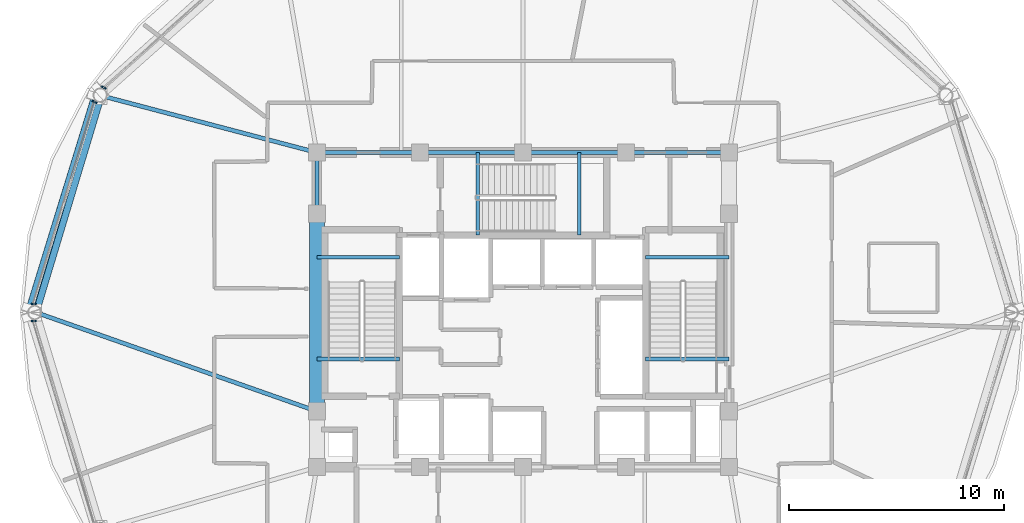
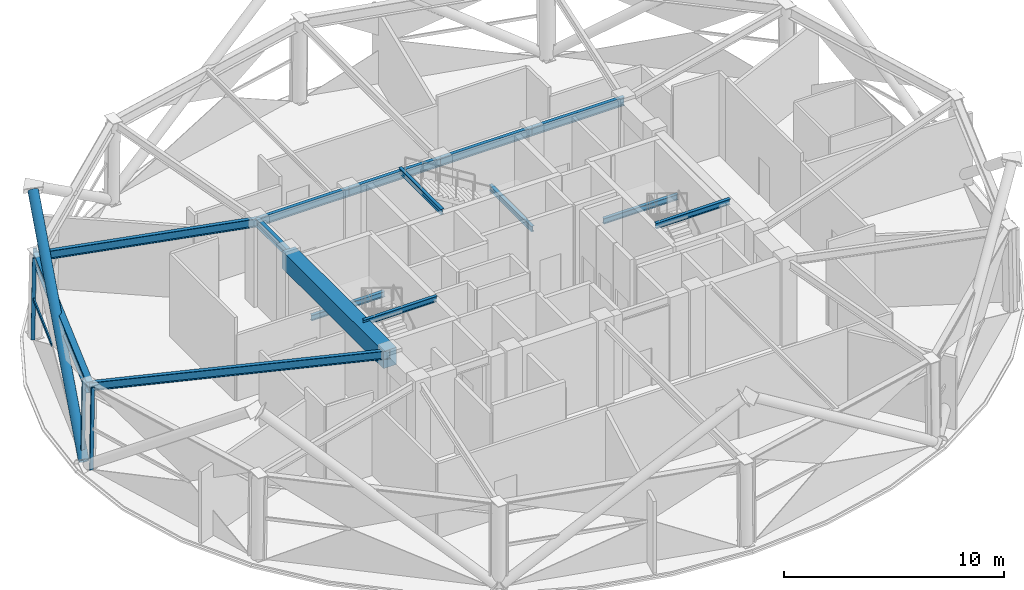
# One storey, part 4 of 16: 15 beams, 6 members, 3 elements without a shape of their own.
"""IFC4 building model written with IfcOpenShell, lengths in metres."""

from ifc_helpers import new_model, si_unit, direction, frame, origin, origin_2d, place, context, subcontext, project, spatial, rectangle, hollow_rectangle, hollow_circle, i_section, extrude, material, layer, layer_set, material_profile, profile_set, type_object, element, aggregate, save


model = new_model("IFC4")

# Units and contexts
model_context = context("Model", 3, precision=1e-05, world=origin(), true_north=direction((0.0, 1.0)))
body_context = subcontext(model_context, "Body", "Model", "MODEL_VIEW")
ifc_project = project(units=[si_unit("LENGTHUNIT", "METRE"), si_unit("AREAUNIT", "SQUARE_METRE"), si_unit("VOLUMEUNIT", "CUBIC_METRE"), si_unit("PLANEANGLEUNIT", "RADIAN"), si_unit("MASSUNIT", "GRAM", prefix="KILO")], contexts=[model_context])

# Site, building, storey
site_placement = place(None, origin())
site = spatial("IfcSite", under=ifc_project, at=site_placement, CompositionType="ELEMENT")
building_placement = place(site_placement, origin())
building = spatial("IfcBuilding", under=site, at=building_placement, Name="Vantalir Tower", CompositionType="ELEMENT")
storey_placement = place(building_placement, frame((0.0, 0.0, 181.35009765625)))
storey = spatial("IfcBuildingStorey", under=building, at=storey_placement, Name="L45", CompositionType="ELEMENT", Elevation=181.35009765625)

# Beams
ifc_material_1 = material(Name="Concrete C60/75", Category="concrete")
ifc_material_profile_1 = material_profile(ifc_material_1, rectangle(XDim=0.699951171875, YDim=0.949951171875, at=origin_2d()), Name="Concrete C60/75")
ifc_profile_set_1 = profile_set([ifc_material_profile_1], Name="Concrete C60/75")
beam_type_1 = type_object("IfcBeamType", Name="BM-CB-700x950", PredefinedType="USERDEFINED", material=ifc_profile_set_1)
beam_1_placement = place(storey_placement, frame((21.89990234375, 29.60009765625, 4.14501953125), z_axis=(0.0, -1.0, 0.0), x_axis=(1.0, 0.0, 0.0)))
element("IfcBeam", 1, at=beam_1_placement, inside=storey, type_object=beam_type_1, Name="L45 Core Coupling Girder 13", ObjectType="GIRDER", PredefinedType="USERDEFINED", context=body_context, shape_type="SweptSolid", body=[
    extrude(rectangle(XDim=0.699951171875, YDim=0.949951171875, at=origin_2d()), origin(), (0.0, 0.0, 1.0), 9.2001953125),
])
ifc_material_2 = material(Name="Steel S355", Category="steel")
ifc_material_profile_2 = material_profile(ifc_material_2, i_section(OverallWidth=0.166015625, OverallDepth=0.306884765625, WebThickness=0.006591796875, FlangeThickness=0.01171875, at=origin_2d()), Name="Steel S355")
ifc_profile_set_2 = profile_set([ifc_material_profile_2], Name="Steel S355")
beam_type_2 = type_object("IfcBeamType", Name="BM-JS-305x165", PredefinedType="JOIST", material=ifc_profile_set_2)
for number, where, z_axis, x_axis, name in (
    (2, (21.89990234375, 22.8349609375, 4.64599609375), (1.0, 0.0, 0.0), (0.0, 1.0, 0.0), "L46 Stair ST1 Well Nosing Trimmer Beam"),
    (3, (21.89990234375, 27.56494140625, 2.0458984375), (1.0, 0.0, 0.0), (0.0, 1.0, 0.0), "L45 Stair ST1 Half-Landing Support Beam"),
):
    element("IfcBeam", number, at=place(storey_placement, frame(where, z_axis=z_axis, x_axis=x_axis)), inside=storey, type_object=beam_type_2, Name=name, PredefinedType="JOIST", context=body_context, shape_type="SweptSolid", body=[
        extrude(i_section(OverallWidth=0.166015625, OverallDepth=0.306884765625, WebThickness=0.006591796875, FlangeThickness=0.01171875, at=origin_2d()), origin(), (0.0, 0.0, 1.0), 3.840087890625),
    ])
for number, where, z_axis, x_axis, name in (
    (4, (37.2099609375, 22.8349609375, 4.64599609375), (1.0, 0.0, 0.0), (0.0, 1.0, 0.0), "L46 Stair ST2 Well Nosing Trimmer Beam"),
    (5, (37.2099609375, 27.56494140625, 2.0458984375), (1.0, 0.0, 0.0), (0.0, 1.0, 0.0), "L45 Stair ST2 Half-Landing Support Beam"),
):
    element("IfcBeam", number, at=place(storey_placement, frame(where, z_axis=z_axis, x_axis=x_axis)), inside=storey, type_object=beam_type_2, Name=name, PredefinedType="JOIST", context=body_context, shape_type="SweptSolid", body=[
        extrude(i_section(OverallWidth=0.166015625, OverallDepth=0.306884765625, WebThickness=0.006591796875, FlangeThickness=0.01171875, at=origin_2d()), origin(), (0.0, 0.0, 1.0), 3.89013671875),
    ])
for number, where, z_axis, x_axis, name in (
    (6, (29.385009765625, 28.60009765625, 4.64599609375), (0.0, 1.0, 0.0), (-1.0, 0.0, 0.0), "L46 Stair ST3 Well Nosing Trimmer Beam"),
    (7, (34.114990234375, 28.60009765625, 2.0458984375), (0.0, 1.0, 0.0), (-1.0, 0.0, 0.0), "L45 Stair ST3 Half-Landing Support Beam"),
):
    element("IfcBeam", number, at=place(storey_placement, frame(where, z_axis=z_axis, x_axis=x_axis)), inside=storey, type_object=beam_type_2, Name=name, PredefinedType="JOIST", context=body_context, shape_type="SweptSolid", body=[
        extrude(i_section(OverallWidth=0.166015625, OverallDepth=0.306884765625, WebThickness=0.006591796875, FlangeThickness=0.01171875, at=origin_2d()), origin(), (0.0, 0.0, 1.0), 3.849853515625),
    ])
ifc_material_profile_3 = material_profile(ifc_material_2, i_section(OverallWidth=0.19189453125, OverallDepth=0.462890625, WebThickness=0.010498046875, FlangeThickness=0.017578125, at=origin_2d()), Name="Steel S355")
ifc_profile_set_3 = profile_set([ifc_material_profile_3], Name="Steel S355")
beam_type_3 = type_object("IfcBeamType", Name="BM-RB-457x191", PredefinedType="BEAM", material=ifc_profile_set_3)
for number, where, z_axis, x_axis, name in (
    (8, (41.10009765625, 32.449951171875, 4.387939453125), (-1.0, 0.0, 0.0), (0.0, -1.0, 0.0), "L45 Core Coupling Girder 08"),
    (9, (36.300048828125, 32.449951171875, 4.387939453125), (-1.0, 0.0, 0.0), (0.0, -1.0, 0.0), "L45 Core Coupling Girder 09"),
    (10, (31.5, 32.449951171875, 4.387939453125), (-1.0, 0.0, 0.0), (0.0, -1.0, 0.0), "L45 Core Coupling Girder 10"),
    (11, (26.699951171875, 32.449951171875, 4.387939453125), (-1.0, 0.0, 0.0), (0.0, -1.0, 0.0), "L45 Core Coupling Girder 11"),
):
    element("IfcBeam", number, at=place(storey_placement, frame(where, z_axis=z_axis, x_axis=x_axis)), inside=storey, type_object=beam_type_3, Name=name, PredefinedType="BEAM", context=body_context, shape_type="SweptSolid", body=[
        extrude(i_section(OverallWidth=0.19189453125, OverallDepth=0.462890625, WebThickness=0.010498046875, FlangeThickness=0.017578125, at=origin_2d()), origin(), (0.0, 0.0, 1.0), 4.800048828125),
    ])
beam_2_placement = place(storey_placement, frame((21.89990234375, 32.449951171875, 4.387939453125), z_axis=(0.0, -1.0, 0.0), x_axis=(1.0, 0.0, 0.0)))
element("IfcBeam", 12, at=beam_2_placement, inside=storey, type_object=beam_type_3, Name="L45 Core Coupling Girder 12", PredefinedType="BEAM", context=body_context, shape_type="SweptSolid", body=[
    extrude(i_section(OverallWidth=0.19189453125, OverallDepth=0.462890625, WebThickness=0.010498046875, FlangeThickness=0.017578125, at=origin_2d()), origin(), (0.0, 0.0, 1.0), 2.849853515625),
])
beam_3_placement = place(storey_placement, frame((11.862060546875, 35.093994140625, 4.387939453125), z_axis=(0.967015102182, -0.254719045522, 0.0), x_axis=(0.254719045522, 0.967015102182, 0.0)))
element("IfcBeam", 13, at=beam_3_placement, inside=storey, type_object=beam_type_3, Name="L45 Radial Floor Beam 06", PredefinedType="BEAM", context=body_context, shape_type="SweptSolid", body=[
    extrude(i_section(OverallWidth=0.19189453125, OverallDepth=0.462890625, WebThickness=0.010498046875, FlangeThickness=0.017578125, at=origin_2d()), origin(), (0.0, 0.0, 1.0), 10.380126953125),
])
beam_4_placement = place(storey_placement, frame((8.823974609375, 25.0, 4.387939453125), z_axis=(0.943328014031, -0.331861805492, 0.0), x_axis=(0.331861805492, 0.943328014031, 0.0)))
element("IfcBeam", 14, at=beam_4_placement, inside=storey, type_object=beam_type_3, Name="L45 Radial Floor Beam 07", PredefinedType="BEAM", context=body_context, shape_type="SweptSolid", body=[
    extrude(i_section(OverallWidth=0.19189453125, OverallDepth=0.462890625, WebThickness=0.010498046875, FlangeThickness=0.017578125, at=origin_2d()), origin(), (0.0, 0.0, 1.0), 13.861572265625),
])
ifc_material_3 = material(Name="Steel S460", Category="steel")
ifc_material_profile_4 = material_profile(ifc_material_3, i_section(OverallWidth=0.306884765625, OverallDepth=0.6201171875, WebThickness=0.01416015625, FlangeThickness=0.023681640625, at=origin_2d()), Name="Steel S460")
ifc_profile_set_4 = profile_set([ifc_material_profile_4], Name="Steel S460")
beam_type_4 = type_object("IfcBeamType", Name="BM-RG-610x305", PredefinedType="USERDEFINED", material=ifc_profile_set_4)
beam_5_placement = place(storey_placement, frame((11.862060546875, 35.093994140625, 4.309814453125), z_axis=(-0.288208317462, -0.957567734286, 0.0), x_axis=(0.957567734286, -0.288208317462, 0.0)))
element("IfcBeam", 15, at=beam_5_placement, inside=storey, type_object=beam_type_4, Name="L45 Circumferential Ring Girder 06", ObjectType="GIRDER", PredefinedType="USERDEFINED", context=body_context, shape_type="SweptSolid", body=[
    extrude(i_section(OverallWidth=0.306884765625, OverallDepth=0.6201171875, WebThickness=0.01416015625, FlangeThickness=0.023681640625, at=origin_2d()), origin(), (0.0, 0.0, 1.0), 10.541259765625),
])

# Curtain wall, member
ifc_material_4 = material(Name="Champagne-silver PVDF aluminium and double-silver Low-E glass", Category="aluminium")
ifc_layer = layer(ifc_material_4, 0.22998046875)
ifc_layer_set = layer_set([ifc_layer], Name="Champagne-silver PVDF aluminium and double-silver Low-E glass")
curtain_wall_type = type_object("IfcCurtainWallType", Name="CW-SKYLOBBY", PredefinedType="USERDEFINED", material=ifc_layer_set)
curtain_wall_1_placement = place(storey_placement, origin())
curtain_wall_1 = element("IfcCurtainWall", 16, at=curtain_wall_1_placement, inside=storey, type_object=curtain_wall_type, Name="L45 Quilted Pyramid-Diamond Curtain Wall S05", ObjectType="UNITISED CURTAIN WALL", PredefinedType="USERDEFINED")
ifc_material_5 = material(Name="Champagne-silver PVDF aluminium 6063-T6", Category="aluminium")
ifc_material_profile_5 = material_profile(ifc_material_5, hollow_rectangle(XDim=0.074951171875, YDim=0.179931640625, WallThickness=0.00390625, at=origin_2d()), Name="Champagne-silver PVDF aluminium 6063-T6")
ifc_profile_set_5 = profile_set([ifc_material_profile_5], Name="Champagne-silver PVDF aluminium 6063-T6")
member_type_1 = type_object("IfcMemberType", Name="CWM-180x75", PredefinedType="MULLION", material=ifc_profile_set_5)
member_1_placement = place(storey_placement, frame((11.93896484375, 35.4951171875, 0.044921875), z_axis=(0.014118396655, -0.007328633378, 0.999873473), x_axis=(0.460712643136, 0.88754935663, 0.0)))
member_1 = element("IfcMember", 17, at=member_1_placement, type_object=member_type_1, Name="CW-L45-S05 Mullion 2", PredefinedType="MULLION", context=body_context, shape_type="SweptSolid", body=[
    extrude(hollow_rectangle(XDim=0.074951171875, YDim=0.179931640625, WallThickness=0.00390625, at=origin_2d()), origin(), (0.0, 0.0, 1.0), 4.530517578125),
])
aggregate(curtain_wall_1, [member_1])

# Curtain wall, members
curtain_wall_2_placement = place(storey_placement, origin())
curtain_wall_2 = element("IfcCurtainWall", 18, at=curtain_wall_2_placement, inside=storey, type_object=curtain_wall_type, Name="L45 Quilted Pyramid-Diamond Curtain Wall S06", ObjectType="UNITISED CURTAIN WALL", PredefinedType="USERDEFINED")
member_2_placement = place(storey_placement, frame((11.514892578125, 34.8291015625, 0.044921875), z_axis=(0.014172272862, -0.007328627792, 0.999872710847), x_axis=(0.459331035001, 0.888265163273, 0.0)))
member_2 = element("IfcMember", 19, at=member_2_placement, type_object=member_type_1, Name="CW-L45-S06 Mullion 1", PredefinedType="MULLION", context=body_context, shape_type="SweptSolid", body=[
    extrude(hollow_rectangle(XDim=0.074951171875, YDim=0.179931640625, WallThickness=0.00390625, at=origin_2d()), origin(), (0.0, 0.0, 1.0), 4.530517578125),
])
member_3_placement = place(storey_placement, frame((8.677978515625, 25.39306640625, 0.044921875), z_axis=(0.016327653386, 0.0, 0.999866694982), x_axis=(0.0, 1.0, 0.0)))
member_3 = element("IfcMember", 20, at=member_3_placement, type_object=member_type_1, Name="CW-L45-S06 Mullion 2", PredefinedType="MULLION", context=body_context, shape_type="SweptSolid", body=[
    extrude(hollow_rectangle(XDim=0.074951171875, YDim=0.179931640625, WallThickness=0.00390625, at=origin_2d()), origin(), (0.0, 0.0, 1.0), 4.530517578125),
])

# Curtain wall, member
curtain_wall_3_placement = place(storey_placement, origin())
curtain_wall_3 = element("IfcCurtainWall", 21, at=curtain_wall_3_placement, inside=storey, type_object=curtain_wall_type, Name="L45 Quilted Pyramid-Diamond Curtain Wall S07", ObjectType="UNITISED CURTAIN WALL", PredefinedType="USERDEFINED")
member_4_placement = place(storey_placement, frame((8.677978515625, 24.60693359375, 0.044921875), z_axis=(0.016327653386, 0.0, 0.999866694982), x_axis=(0.0, 1.0, 0.0)))
member_4 = element("IfcMember", 22, at=member_4_placement, type_object=member_type_1, Name="CW-L45-S07 Mullion 1", PredefinedType="MULLION", context=body_context, shape_type="SweptSolid", body=[
    extrude(hollow_rectangle(XDim=0.074951171875, YDim=0.179931640625, WallThickness=0.00390625, at=origin_2d()), origin(), (0.0, 0.0, 1.0), 4.530517578125),
])
aggregate(curtain_wall_3, [member_4])

# Member
ifc_material_profile_6 = material_profile(ifc_material_5, hollow_rectangle(XDim=0.074951171875, YDim=0.159912109375, WallThickness=0.00390625, at=origin_2d()), Name="Champagne-silver PVDF aluminium 6063-T6")
ifc_profile_set_6 = profile_set([ifc_material_profile_6], Name="Champagne-silver PVDF aluminium 6063-T6")
member_type_2 = type_object("IfcMemberType", Name="CWT-160x75", PredefinedType="USERDEFINED", material=ifc_profile_set_6)
member_5_placement = place(storey_placement, frame((11.547119140625, 34.81298828125, 2.309814453125), z_axis=(-0.294021598133, -0.955798775806, 0.0), x_axis=(0.955798775806, -0.294021598133, 0.0)))
member_5 = element("IfcMember", 23, at=member_5_placement, type_object=member_type_2, Name="CW-L45-S06 Pyramid Fold Ridge Transom", ObjectType="TRANSOM", PredefinedType="USERDEFINED", context=body_context, shape_type="SweptSolid", body=[
    extrude(hollow_rectangle(XDim=0.074951171875, YDim=0.159912109375, WallThickness=0.00390625, at=origin_2d()), origin(), (0.0, 0.0, 1.0), 3.73828125),
])

aggregate(curtain_wall_2, [member_2, member_3, member_5])

ifc_material_profile_7 = material_profile(ifc_material_3, hollow_circle(Radius=0.25, WallThickness=0.031982421875, at=origin_2d()), Name="Steel S460")
ifc_profile_set_7 = profile_set([ifc_material_profile_7], Name="Steel S460")
member_type_3 = type_object("IfcMemberType", Name="MEM-DB-500x32", PredefinedType="BRACE", material=ifc_profile_set_7)
member_6_placement = place(storey_placement, frame((8.611083984375, 25.1669921875, 0.2138671875), z_axis=(0.233172865304, 0.757159993634, 0.610196000419), x_axis=(-0.955707824587, 0.294317097742, 0.0)))
element("IfcMember", 24, at=member_6_placement, inside=storey, type_object=member_type_3, Name="L45 Perimeter S460 Diagrid Brace R19R", PredefinedType="BRACE", context=body_context, shape_type="SweptSolid", body=[
    extrude(hollow_circle(Radius=0.25, WallThickness=0.031982421875, at=origin_2d()), origin(), (0.0, 0.0, 1.0), 13.015625),
])

save(model, "model.ifc")
